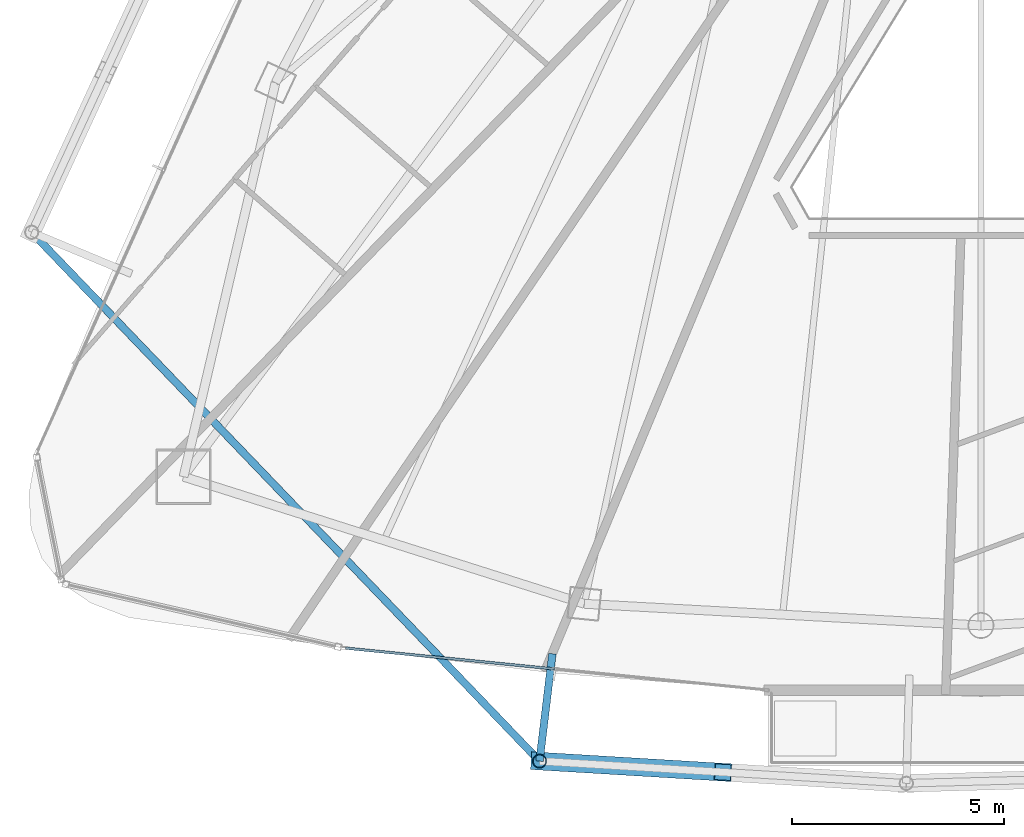
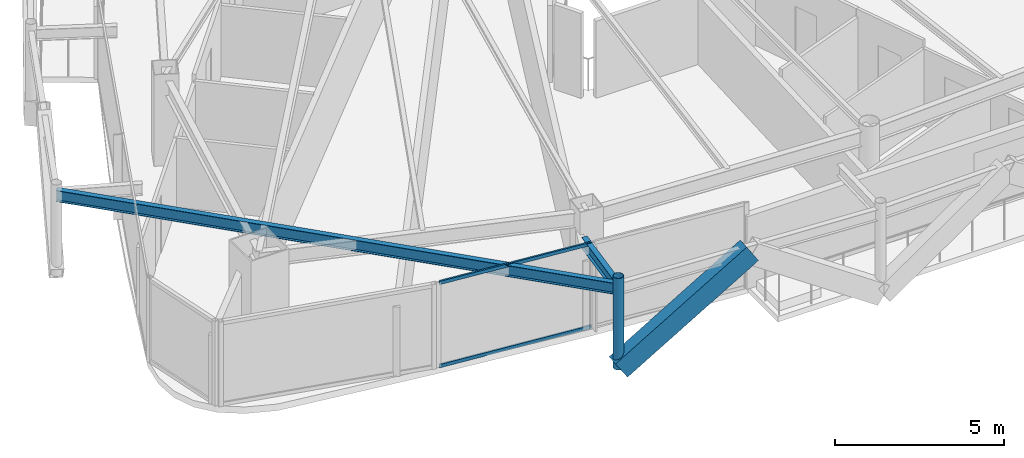
# One storey, part 3 of 30: 4 members, 2 beams, 1 element without a shape of its own.
"""IFC4 building model written with IfcOpenShell, lengths in metres."""

from ifc_helpers import new_model, si_unit, direction, frame, origin, origin_2d, place, context, subcontext, project, spatial, hollow_rectangle, hollow_circle, i_section, extrude, material, layer, layer_set, material_profile, profile_set, type_object, element, aggregate, save


model = new_model("IFC4")

# Units and contexts
model_context = context("Model", 3, precision=1e-05, world=origin(), true_north=direction((0.0, 1.0)))
body_context = subcontext(model_context, "Body", "Model", "MODEL_VIEW")
ifc_project = project(units=[si_unit("LENGTHUNIT", "METRE"), si_unit("AREAUNIT", "SQUARE_METRE"), si_unit("VOLUMEUNIT", "CUBIC_METRE"), si_unit("PLANEANGLEUNIT", "RADIAN"), si_unit("MASSUNIT", "GRAM", prefix="KILO")], contexts=[model_context])

# Site, building, storey
site_placement = place(None, origin())
site = spatial("IfcSite", under=ifc_project, at=site_placement, CompositionType="ELEMENT")
building_placement = place(site_placement, origin())
building = spatial("IfcBuilding", under=site, at=building_placement, Name="Orvanel Arch Residences", CompositionType="ELEMENT")
storey_placement = place(building_placement, frame((0.0, 0.0, 240.35009765625)))
storey = spatial("IfcBuildingStorey", under=building, at=storey_placement, Name="L68", CompositionType="ELEMENT", Elevation=240.35009765625)

# Member
ifc_material_1 = material(Name="Structural steel AS/NZS 3678 Grade 350", Category="steel")
ifc_material_profile_1 = material_profile(ifc_material_1, hollow_rectangle(XDim=0.419921875, YDim=0.719970703125, WallThickness=0.02490234375, at=origin_2d()), Name="RHS720x420x25")
ifc_profile_set_1 = profile_set([ifc_material_profile_1], Name="Structural steel AS/NZS 3678 Grade 350")
member_type_1 = type_object("IfcMemberType", Name="BR-720RHS-EXT", PredefinedType="BRACE", material=ifc_profile_set_1)
member_1_placement = place(storey_placement, frame((22.592041015625, 3.64599609375, 0.0), z_axis=(0.833277461195, -0.050294935691, 0.550562523342), x_axis=(0.060248324526, 0.998183419714, 0.0)))
element("IfcMember", 1, at=member_1_placement, inside=storey, type_object=member_type_1, Name="L68 Exterior Sky-Garden V-Frame Chevron F2B1.1", PredefinedType="BRACE", context=body_context, shape_type="SweptSolid", body=[
    extrude(hollow_rectangle(XDim=0.419921875, YDim=0.719970703125, WallThickness=0.02490234375, at=origin_2d()), origin(), (0.0, 0.0, 1.0), 5.189208984375),
])

# Beams
ifc_material_2 = material(Name="Structural steel AS/NZS 3679.1 Grade 300 (300 MPa)", Category="steel")
ifc_material_profile_2 = material_profile(ifc_material_2, i_section(OverallWidth=0.177978515625, OverallDepth=0.406005859375, WebThickness=0.0078125, FlangeThickness=0.0126953125, at=origin_2d()), Name="410UB59.7")
ifc_profile_set_2 = profile_set([ifc_material_profile_2], Name="Structural steel AS/NZS 3679.1 Grade 300 (300 MPa)")
beam_type = type_object("IfcBeamType", Name="OB-410UB-EXT", PredefinedType="SPANDREL", material=ifc_profile_set_2)
beam_1_placement = place(storey_placement, frame((10.618896484375, 16.114990234375, 2.85693359375), z_axis=(0.692619430275, -0.721303212806, 0.0), x_axis=(0.721303212806, 0.692619430275, 0.0)))
element("IfcBeam", 2, at=beam_1_placement, inside=storey, type_object=beam_type, Name="L68 Outer Perimeter Floor Ring Beam 04", PredefinedType="SPANDREL", context=body_context, shape_type="SweptSolid", body=[
    extrude(i_section(OverallWidth=0.177978515625, OverallDepth=0.406005859375, WebThickness=0.0078125, FlangeThickness=0.0126953125, at=origin_2d()), origin(), (0.0, 0.0, 1.0), 17.286865234375),
])
beam_2_placement = place(storey_placement, frame((22.89599609375, 6.177978515625, 2.85693359375), z_axis=(-0.119190521137, -0.992871401376, 0.0), x_axis=(0.992871401376, -0.119190521137, 0.0)))
element("IfcBeam", 3, at=beam_2_placement, inside=storey, type_object=beam_type, Name="L68 Outer Frame Radial Tie Beam 05", PredefinedType="SPANDREL", context=body_context, shape_type="SweptSolid", body=[
    extrude(i_section(OverallWidth=0.177978515625, OverallDepth=0.406005859375, WebThickness=0.0078125, FlangeThickness=0.0126953125, at=origin_2d()), origin(), (0.0, 0.0, 1.0), 2.550048828125),
])

# Member
ifc_material_3 = material(Name="Structural steel AS/NZS 1163 C350L0 (Grade 350)", Category="steel")
ifc_material_profile_3 = material_profile(ifc_material_3, hollow_circle(Radius=0.162109375, WallThickness=0.0126953125, at=origin_2d()), Name="CHS324x12.7")
ifc_profile_set_3 = profile_set([ifc_material_profile_3], Name="Structural steel AS/NZS 1163 C350L0 (Grade 350)")
member_type_2 = type_object("IfcMemberType", Name="ST-324CHS-EXT", PredefinedType="STRUT", material=ifc_profile_set_3)
member_2_placement = place(storey_placement, frame((22.592041015625, 3.64599609375, 0.0), z_axis=(0.0, 0.0, 1.0), x_axis=(1.0, 0.0, 0.0)))
element("IfcMember", 4, at=member_2_placement, inside=storey, type_object=member_type_2, Name="L68 Outer Perimeter Frame Post 05", PredefinedType="STRUT", context=body_context, shape_type="SweptSolid", body=[
    extrude(hollow_circle(Radius=0.162109375, WallThickness=0.0126953125, at=origin_2d()), origin(), (0.0, 0.0, 1.0), 3.2998046875),
])

# Curtain wall, members
ifc_material_4 = material(Name="Bronze-anodised aluminium AA6063-T6", Category="aluminium")
ifc_layer = layer(ifc_material_4, 0.175048828125)
ifc_layer_set = layer_set([ifc_layer], Name="Bronze-anodised aluminium AA6063-T6")
curtain_wall_type = type_object("IfcCurtainWallType", Name="CW4-HI-SYS", PredefinedType="NOTDEFINED", material=ifc_layer_set)
curtain_wall_placement = place(storey_placement, origin())
curtain_wall = element("IfcCurtainWall", 5, at=curtain_wall_placement, inside=storey, type_object=curtain_wall_type, Name="L68 CW4-HI-SYS Unitised Curtain Wall", PredefinedType="NOTDEFINED")
ifc_material_profile_4 = material_profile(ifc_material_4, hollow_rectangle(XDim=0.06005859375, YDim=0.1201171875, WallThickness=0.00341796875, at=origin_2d()), Name="ALU120x60x3.5")
ifc_profile_set_4 = profile_set([ifc_material_profile_4], Name="Bronze-anodised aluminium AA6063-T6")
member_type_3 = type_object("IfcMemberType", Name="TRN-120x60", PredefinedType="USERDEFINED", material=ifc_profile_set_4)
member_3_placement = place(storey_placement, frame((18.017578125, 6.310546875, 0.02978515625), z_axis=(0.995053357637, -0.099341911881, 0.0), x_axis=(0.099341911881, 0.995053357637, 0.0)))
member_3 = element("IfcMember", 6, at=member_3_placement, type_object=member_type_3, Name="CW-S4 transom 1.1", ObjectType="TRANSOM", PredefinedType="USERDEFINED", context=body_context, shape_type="SweptSolid", body=[
    extrude(hollow_rectangle(XDim=0.06005859375, YDim=0.1201171875, WallThickness=0.00341796875, at=origin_2d()), origin(), (0.0, 0.0, 1.0), 4.929931640625),
])
member_4_placement = place(storey_placement, frame((18.017578125, 6.310546875, 3.02978515625), z_axis=(0.995053357637, -0.099341911881, 0.0), x_axis=(0.099341911881, 0.995053357637, 0.0)))
member_4 = element("IfcMember", 7, at=member_4_placement, type_object=member_type_3, Name="CW-S4 transom 1.2", ObjectType="TRANSOM", PredefinedType="USERDEFINED", context=body_context, shape_type="SweptSolid", body=[
    extrude(hollow_rectangle(XDim=0.06005859375, YDim=0.1201171875, WallThickness=0.00341796875, at=origin_2d()), origin(), (0.0, 0.0, 1.0), 4.929931640625),
])
aggregate(curtain_wall, [member_3, member_4])

save(model, "model.ifc")
